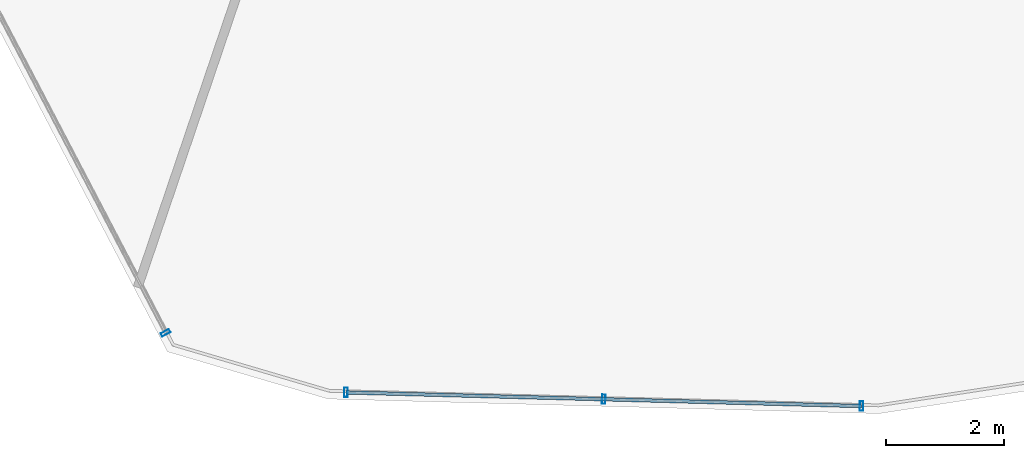
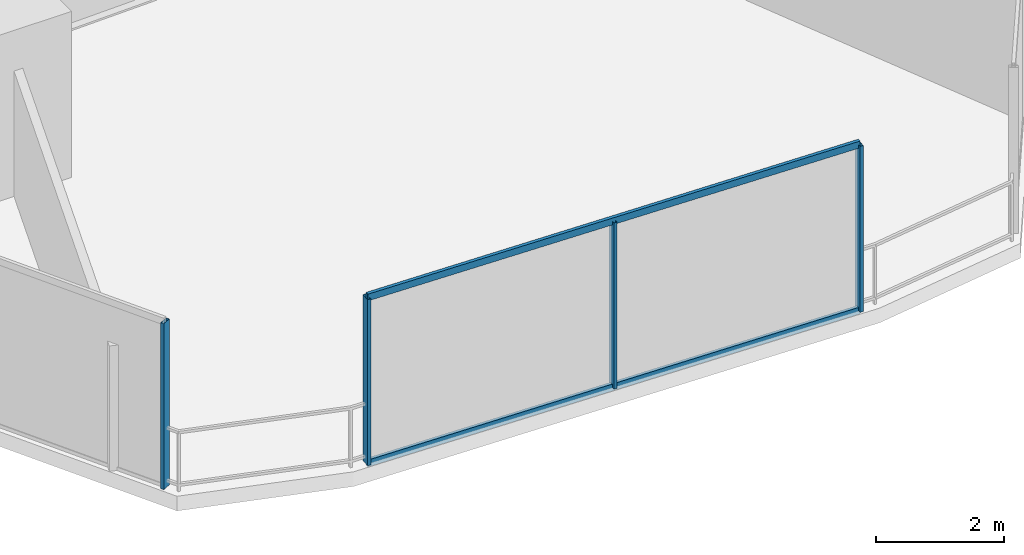
# One storey, part 4 of 30: 6 members, 2 elements without a shape of their own.
"""IFC4 building model written with IfcOpenShell, lengths in metres."""

from ifc_helpers import new_model, si_unit, direction, frame, origin, origin_2d, place, context, subcontext, project, spatial, hollow_rectangle, extrude, material, layer, layer_set, material_profile, profile_set, type_object, element, aggregate, save


model = new_model("IFC4")

# Units and contexts
model_context = context("Model", 3, precision=1e-05, world=origin(), true_north=direction((0.0, 1.0)))
body_context = subcontext(model_context, "Body", "Model", "MODEL_VIEW")
ifc_project = project(units=[si_unit("LENGTHUNIT", "METRE"), si_unit("AREAUNIT", "SQUARE_METRE"), si_unit("VOLUMEUNIT", "CUBIC_METRE"), si_unit("PLANEANGLEUNIT", "RADIAN"), si_unit("MASSUNIT", "GRAM", prefix="KILO")], contexts=[model_context])

# Site, building, storey
site_placement = place(None, origin())
site = spatial("IfcSite", under=ifc_project, at=site_placement, CompositionType="ELEMENT")
building_placement = place(site_placement, origin())
building = spatial("IfcBuilding", under=site, at=building_placement, Name="Qarnah Convention Tower", CompositionType="ELEMENT")
storey_placement = place(building_placement, frame((0.0, 0.0, 58.050048828125)))
storey = spatial("IfcBuildingStorey", under=building, at=storey_placement, Name="L14", CompositionType="ELEMENT", Elevation=58.050048828125)

# Curtain wall, member
ifc_material_1 = material(Name="Tempered Low-E dark glass", Category="glass")
ifc_layer = layer(ifc_material_1, 0.16796875)
ifc_layer_set = layer_set([ifc_layer], Name="Tempered Low-E dark glass")
curtain_wall_type = type_object("IfcCurtainWallType", Name="CWS-01", PredefinedType="NOTDEFINED", material=ifc_layer_set)
curtain_wall_1_placement = place(storey_placement, origin())
curtain_wall_1 = element("IfcCurtainWall", 1, at=curtain_wall_1_placement, inside=storey, type_object=curtain_wall_type, Name="L14 unitised curtain wall CW-L14-F1", PredefinedType="NOTDEFINED")
ifc_material_2 = material(Name="Black anodised aluminium", Category="aluminium")
ifc_material_profile_1 = material_profile(ifc_material_2, hollow_rectangle(XDim=0.06005859375, YDim=0.159912109375, WallThickness=0.00390625, at=origin_2d()), Name="MUL-60X160")
ifc_profile_set_1 = profile_set([ifc_material_profile_1], Name="Black anodised aluminium")
member_type_1 = type_object("IfcMemberType", Name="MUL-T1", PredefinedType="MULLION", material=ifc_profile_set_1)
member_1_placement = place(storey_placement, frame((29.782958984375, 1.971923828125, 0.0), z_axis=(0.0, 0.0, 1.0), x_axis=(-0.463290234921, 0.886206611478, 0.0)))
member_1 = element("IfcMember", 2, at=member_1_placement, type_object=member_type_1, Name="CW-L14-F1 mullion 1", PredefinedType="MULLION", context=body_context, shape_type="SweptSolid", body=[
    extrude(hollow_rectangle(XDim=0.06005859375, YDim=0.159912109375, WallThickness=0.00390625, at=origin_2d()), origin(), (0.0, 0.0, 1.0), 3.169921875),
])
aggregate(curtain_wall_1, [member_1])

# Curtain wall, members
curtain_wall_2_placement = place(storey_placement, origin())
curtain_wall_2 = element("IfcCurtainWall", 3, at=curtain_wall_2_placement, inside=storey, type_object=curtain_wall_type, Name="L14 unitised curtain wall CW-L14-F4", PredefinedType="NOTDEFINED")
member_2_placement = place(storey_placement, frame((41.60888671875, 0.72802734375, 0.0), z_axis=(0.0, 0.0, 1.0), x_axis=(-0.99964956263, 0.026471719497, 0.0)))
member_2 = element("IfcMember", 4, at=member_2_placement, type_object=member_type_1, Name="CW-L14-F4 mullion 1", PredefinedType="MULLION", context=body_context, shape_type="SweptSolid", body=[
    extrude(hollow_rectangle(XDim=0.06005859375, YDim=0.159912109375, WallThickness=0.00390625, at=origin_2d()), origin(), (0.0, 0.0, 1.0), 3.169921875),
])
member_3_placement = place(storey_placement, frame((37.228515625, 0.843994140625, 0.0), z_axis=(0.0, 0.0, 1.0), x_axis=(-0.99964956263, 0.026471719497, 0.0)))
member_3 = element("IfcMember", 5, at=member_3_placement, type_object=member_type_1, Name="CW-L14-F4 mullion 2", PredefinedType="MULLION", context=body_context, shape_type="SweptSolid", body=[
    extrude(hollow_rectangle(XDim=0.06005859375, YDim=0.159912109375, WallThickness=0.00390625, at=origin_2d()), origin(), (0.0, 0.0, 1.0), 3.169921875),
])
member_4_placement = place(storey_placement, frame((32.847900390625, 0.9599609375, 0.0), z_axis=(0.0, 0.0, 1.0), x_axis=(-0.99964956263, 0.026471719497, 0.0)))
member_4 = element("IfcMember", 6, at=member_4_placement, type_object=member_type_1, Name="CW-L14-F4 mullion 3", PredefinedType="MULLION", context=body_context, shape_type="SweptSolid", body=[
    extrude(hollow_rectangle(XDim=0.06005859375, YDim=0.159912109375, WallThickness=0.00390625, at=origin_2d()), origin(), (0.0, 0.0, 1.0), 3.169921875),
])
ifc_material_profile_2 = material_profile(ifc_material_2, hollow_rectangle(XDim=0.06005859375, YDim=0.1298828125, WallThickness=0.00390625, at=origin_2d()), Name="TRN-60X130")
ifc_profile_set_2 = profile_set([ifc_material_profile_2], Name="Black anodised aluminium")
member_type_2 = type_object("IfcMemberType", Name="TRN-T1", PredefinedType="USERDEFINED", material=ifc_profile_set_2)
member_5_placement = place(storey_placement, frame((41.60888671875, 0.72802734375, 0.0), z_axis=(-0.999649762126, 0.026464184869, 0.0), x_axis=(-0.026464184869, -0.999649762126, 0.0)))
member_5 = element("IfcMember", 7, at=member_5_placement, type_object=member_type_2, Name="CW-L14-F4 transom 1", ObjectType="TRANSOM", PredefinedType="USERDEFINED", context=body_context, shape_type="SweptSolid", body=[
    extrude(hollow_rectangle(XDim=0.06005859375, YDim=0.1298828125, WallThickness=0.00390625, at=origin_2d()), origin(), (0.0, 0.0, 1.0), 8.76416015625),
])
member_6_placement = place(storey_placement, frame((41.60888671875, 0.72802734375, 3.169921875), z_axis=(-0.999649762126, 0.026464184869, 0.0), x_axis=(-0.026464184869, -0.999649762126, 0.0)))
member_6 = element("IfcMember", 8, at=member_6_placement, type_object=member_type_2, Name="CW-L14-F4 transom 2", ObjectType="TRANSOM", PredefinedType="USERDEFINED", context=body_context, shape_type="SweptSolid", body=[
    extrude(hollow_rectangle(XDim=0.06005859375, YDim=0.1298828125, WallThickness=0.00390625, at=origin_2d()), origin(), (0.0, 0.0, 1.0), 8.76416015625),
])
aggregate(curtain_wall_2, [member_2, member_3, member_4, member_5, member_6])

save(model, "model.ifc")
